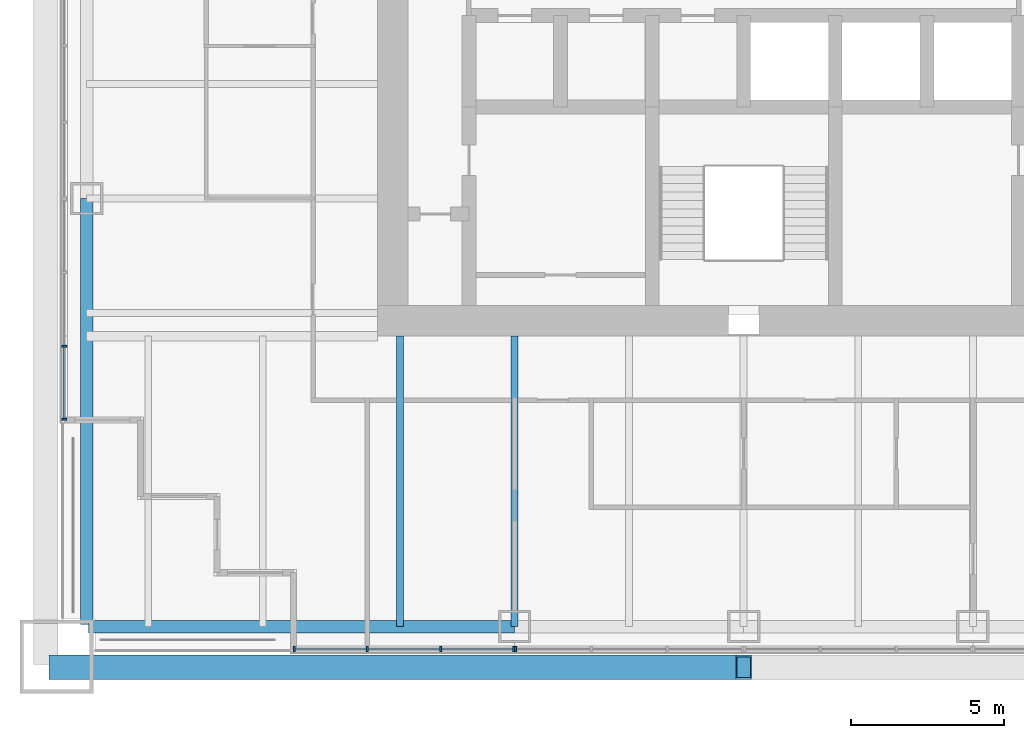
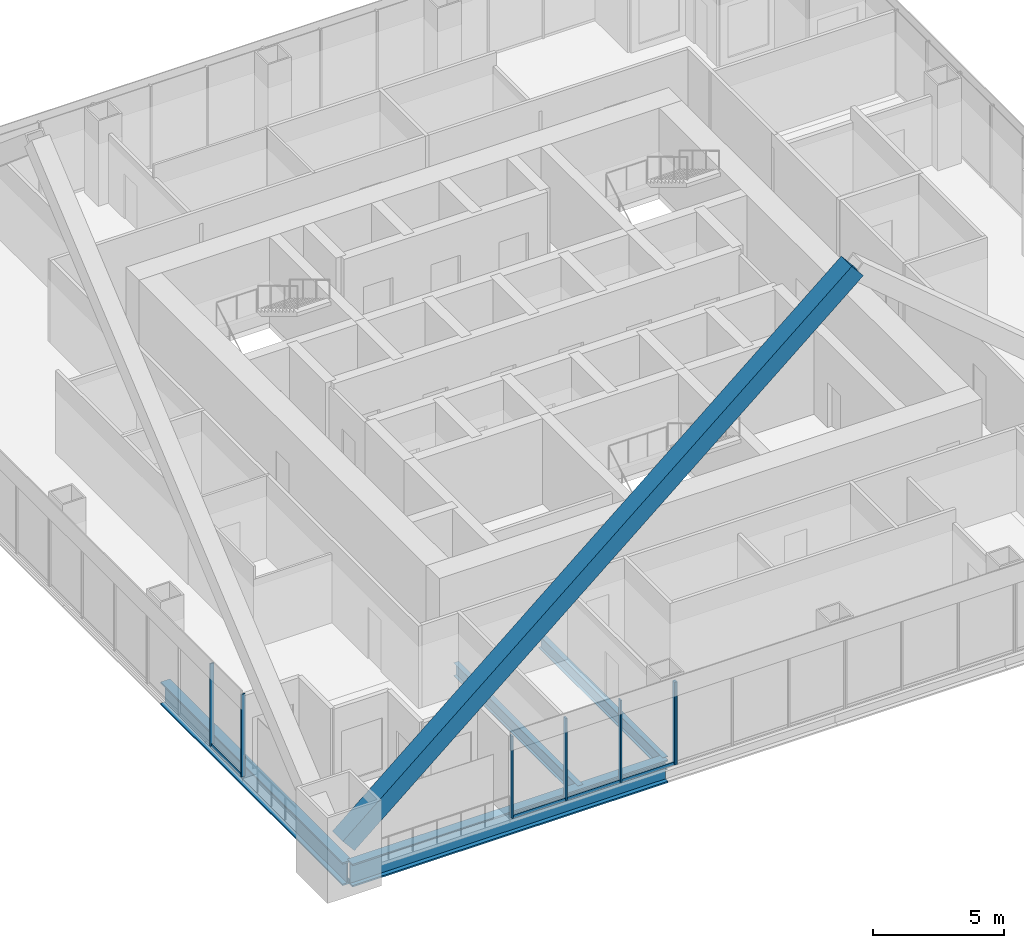
# One storey, part 2 of 19: 12 members, 4 beams, 3 elements without a shape of their own.
"""IFC4 building model written with IfcOpenShell, lengths in metres."""

from ifc_helpers import new_model, si_unit, direction, frame, origin, origin_2d, place, context, subcontext, project, spatial, rectangle, hollow_rectangle, i_section, extrude, material, material_profile, profile_set, type_object, element, aggregate, save


model = new_model("IFC4")

# Units and contexts
model_context = context("Model", 3, precision=1e-05, world=origin(), true_north=direction((0.0, 1.0)))
body_context = subcontext(model_context, "Body", "Model", "MODEL_VIEW")
ifc_project = project(units=[si_unit("LENGTHUNIT", "METRE"), si_unit("AREAUNIT", "SQUARE_METRE"), si_unit("VOLUMEUNIT", "CUBIC_METRE"), si_unit("PLANEANGLEUNIT", "RADIAN"), si_unit("MASSUNIT", "GRAM", prefix="KILO")], contexts=[model_context])

# Site, building, storey
site_placement = place(None, origin())
site = spatial("IfcSite", under=ifc_project, at=site_placement, CompositionType="ELEMENT")
building_placement = place(site_placement, origin())
building = spatial("IfcBuilding", under=site, at=building_placement, Name="Tarangal Relay Tower", CompositionType="ELEMENT")
storey_placement = place(building_placement, frame((0.0, 0.0, 213.89990234375)))
storey = spatial("IfcBuildingStorey", under=building, at=storey_placement, Name="L45", CompositionType="ELEMENT", Elevation=213.89990234375)

# Beams
ifc_material_1 = material(Name="Steel ASTM A992", Category="steel")
ifc_material_profile_1 = material_profile(ifc_material_1, i_section(OverallWidth=0.41650390625, OverallDepth=1.0693359375, WebThickness=0.0390625, FlangeThickness=0.070068359375, at=origin_2d()), Name="W40X503")
ifc_profile_set_1 = profile_set([ifc_material_profile_1], Name="Steel ASTM A992")
beam_type_1 = type_object("IfcBeamType", Name="Edge girder W40X503", PredefinedType="SPANDREL", material=ifc_profile_set_1)
for number, where, z_axis, x_axis, name in (
    (1, (-7.5, -21.514892578125, -0.6845703125), (-1.0, 0.0, 0.0), (0.0, -1.0, 0.0), "Edge girder EG8 S L45"),
    (2, (-21.514892578125, -21.449951171875, -0.6845703125), (0.0, 1.0, 0.0), (-1.0, 0.0, 0.0), "Edge girder EG8 W L45"),
):
    element("IfcBeam", number, at=place(storey_placement, frame(where, z_axis=z_axis, x_axis=x_axis)), inside=storey, type_object=beam_type_1, Name=name, PredefinedType="SPANDREL", context=body_context, shape_type="SweptSolid", body=[
        extrude(i_section(OverallWidth=0.41650390625, OverallDepth=1.0693359375, WebThickness=0.0390625, FlangeThickness=0.070068359375, at=origin_2d()), origin(), (0.0, 0.0, 1.0), 13.949951171875),
    ])
ifc_material_profile_2 = material_profile(ifc_material_1, i_section(OverallWidth=0.22900390625, OverallDepth=0.612060546875, WebThickness=0.011962890625, FlangeThickness=0.01953125, at=origin_2d()), Name="W24X84")
ifc_profile_set_2 = profile_set([ifc_material_profile_2], Name="Steel ASTM A992")
beam_type_2 = type_object("IfcBeamType", Name="Floor beam W24X84", PredefinedType="BEAM", material=ifc_profile_set_2)
for number, where, z_axis, x_axis, name in (
    (3, (-7.5, -12.0, -0.455810546875), (0.0, -1.0, 0.0), (1.0, 0.0, 0.0), "Floor beam RB12 S L45"),
    (4, (-11.25, -12.0, -0.455810546875), (0.0, -1.0, 0.0), (1.0, 0.0, 0.0), "Floor beam RB12 S L45"),
):
    element("IfcBeam", number, at=place(storey_placement, frame(where, z_axis=z_axis, x_axis=x_axis)), inside=storey, type_object=beam_type_2, Name=name, PredefinedType="BEAM", context=body_context, shape_type="SweptSolid", body=[
        extrude(i_section(OverallWidth=0.22900390625, OverallDepth=0.612060546875, WebThickness=0.011962890625, FlangeThickness=0.01953125, at=origin_2d()), origin(), (0.0, 0.0, 1.0), 9.514892578125),
    ])

# Member
ifc_material_2 = material(Name="Steel ASTM A572 Grade 50", Category="steel")
ifc_material_profile_3 = material_profile(ifc_material_2, hollow_rectangle(XDim=0.800048828125, YDim=0.800048828125, WallThickness=0.06494140625, at=origin_2d()), Name="BOX800X800X65")
ifc_profile_set_3 = profile_set([ifc_material_profile_3], Name="Steel ASTM A572 Grade 50")
member_type_1 = type_object("IfcMemberType", Name="Mega brace BOX800X800X65", PredefinedType="BRACE", material=ifc_profile_set_3)
member_1_placement = place(storey_placement, frame((-22.5, -22.85009765625, 2.0), z_axis=(0.764029915847, 0.0, 0.645180817826), x_axis=(0.0, 1.0, 0.0)))
element("IfcMember", 5, at=member_1_placement, inside=storey, type_object=member_type_1, Name="Mega brace MB3 S face module 2", PredefinedType="BRACE", context=body_context, shape_type="SweptSolid", body=[
    extrude(hollow_rectangle(XDim=0.800048828125, YDim=0.800048828125, WallThickness=0.06494140625, at=origin_2d()), origin(), (0.0, 0.0, 1.0), 29.44921875),
])

# Curtain wall, member
ifc_material_3 = material(Name="Unitised curtain wall, dark glass and black aluminium", Category="aluminium")
curtain_wall_type = type_object("IfcCurtainWallType", Name="Curtain wall CW-A", PredefinedType="USERDEFINED", material=ifc_material_3)
curtain_wall_1_placement = place(storey_placement, origin())
curtain_wall_1 = element("IfcCurtainWall", 6, at=curtain_wall_1_placement, inside=storey, type_object=curtain_wall_type, Name="Curtain wall CW-A S facade L45", ObjectType="UNITISED CURTAIN WALL", PredefinedType="USERDEFINED")
ifc_material_4 = material(Name="Black anodised aluminium mullion", Category="aluminium")
ifc_material_profile_4 = material_profile(ifc_material_4, rectangle(XDim=0.175048828125, YDim=0.06494140625, at=origin_2d()), Name="CW-AM 65X175")
ifc_profile_set_4 = profile_set([ifc_material_profile_4], Name="Black anodised aluminium mullion")
member_type_2 = type_object("IfcMemberType", Name="Mullion CW-A 65 x 175", PredefinedType="MULLION", material=ifc_profile_set_4)
member_2_placement = place(storey_placement, frame((-7.467529296875, -22.25, 0.0), z_axis=(0.0, 0.0, 1.0), x_axis=(0.0, -1.0, 0.0)))
member_2 = element("IfcMember", 7, at=member_2_placement, type_object=member_type_2, Name="CW-A mullion 4", PredefinedType="MULLION", context=body_context, shape_type="SweptSolid", body=[
    extrude(rectangle(XDim=0.175048828125, YDim=0.06494140625, at=origin_2d()), origin(), (0.0, 0.0, 1.0), 3.85009765625),
])
aggregate(curtain_wall_1, [member_2])

# Curtain wall, members
curtain_wall_2_placement = place(storey_placement, origin())
curtain_wall_2 = element("IfcCurtainWall", 8, at=curtain_wall_2_placement, inside=storey, type_object=curtain_wall_type, Name="Curtain wall CW-A S facade L45", ObjectType="UNITISED CURTAIN WALL", PredefinedType="USERDEFINED")
member_3_placement = place(storey_placement, frame((-7.532470703125, -22.25, 0.0), z_axis=(0.0, 0.0, 1.0), x_axis=(0.0, -1.0, 0.0)))
member_3 = element("IfcMember", 9, at=member_3_placement, type_object=member_type_2, Name="CW-A mullion 1", PredefinedType="MULLION", context=body_context, shape_type="SweptSolid", body=[
    extrude(rectangle(XDim=0.175048828125, YDim=0.06494140625, at=origin_2d()), origin(), (0.0, 0.0, 1.0), 3.85009765625),
])
member_4_placement = place(storey_placement, frame((-9.916748046875, -22.25, 0.0), z_axis=(0.0, 0.0, 1.0), x_axis=(0.0, -1.0, 0.0)))
member_4 = element("IfcMember", 10, at=member_4_placement, type_object=member_type_2, Name="CW-A mullion 2", PredefinedType="MULLION", context=body_context, shape_type="SweptSolid", body=[
    extrude(rectangle(XDim=0.175048828125, YDim=0.06494140625, at=origin_2d()), origin(), (0.0, 0.0, 1.0), 3.85009765625),
])
member_5_placement = place(storey_placement, frame((-12.333251953125, -22.25, 0.0), z_axis=(0.0, 0.0, 1.0), x_axis=(0.0, -1.0, 0.0)))
member_5 = element("IfcMember", 11, at=member_5_placement, type_object=member_type_2, Name="CW-A mullion 3", PredefinedType="MULLION", context=body_context, shape_type="SweptSolid", body=[
    extrude(rectangle(XDim=0.175048828125, YDim=0.06494140625, at=origin_2d()), origin(), (0.0, 0.0, 1.0), 3.85009765625),
])
member_6_placement = place(storey_placement, frame((-14.717529296875, -22.25, 0.0), z_axis=(0.0, 0.0, 1.0), x_axis=(0.0, -1.0, 0.0)))
member_6 = element("IfcMember", 12, at=member_6_placement, type_object=member_type_2, Name="CW-A mullion 4", PredefinedType="MULLION", context=body_context, shape_type="SweptSolid", body=[
    extrude(rectangle(XDim=0.175048828125, YDim=0.06494140625, at=origin_2d()), origin(), (0.0, 0.0, 1.0), 3.85009765625),
])

curtain_wall_3_placement = place(storey_placement, origin())
curtain_wall_3 = element("IfcCurtainWall", 13, at=curtain_wall_3_placement, inside=storey, type_object=curtain_wall_type, Name="Curtain wall CW-A W facade L45", ObjectType="UNITISED CURTAIN WALL", PredefinedType="USERDEFINED")
member_7_placement = place(storey_placement, frame((-22.25, -14.717529296875, 0.0), z_axis=(0.0, 0.0, 1.0), x_axis=(-1.0, 0.0, 0.0)))
member_7 = element("IfcMember", 14, at=member_7_placement, type_object=member_type_2, Name="CW-A mullion 1", PredefinedType="MULLION", context=body_context, shape_type="SweptSolid", body=[
    extrude(rectangle(XDim=0.175048828125, YDim=0.06494140625, at=origin_2d()), origin(), (0.0, 0.0, 1.0), 3.85009765625),
])
member_8_placement = place(storey_placement, frame((-22.25, -12.333251953125, 0.0), z_axis=(0.0, 0.0, 1.0), x_axis=(-1.0, 0.0, 0.0)))
member_8 = element("IfcMember", 15, at=member_8_placement, type_object=member_type_2, Name="CW-A mullion 2", PredefinedType="MULLION", context=body_context, shape_type="SweptSolid", body=[
    extrude(rectangle(XDim=0.175048828125, YDim=0.06494140625, at=origin_2d()), origin(), (0.0, 0.0, 1.0), 3.85009765625),
])

# Member
ifc_material_5 = material(Name="Black anodised aluminium transom", Category="aluminium")
ifc_material_profile_5 = material_profile(ifc_material_5, rectangle(XDim=0.06494140625, YDim=0.14990234375, at=origin_2d()), Name="CW-AT 65X150")
ifc_profile_set_5 = profile_set([ifc_material_profile_5], Name="Black anodised aluminium transom")
member_type_3 = type_object("IfcMemberType", Name="Transom CW-A 65 x 150", PredefinedType="USERDEFINED", material=ifc_profile_set_5)
member_9_placement = place(storey_placement, frame((-7.56494140625, -22.25, 0.03271484375), z_axis=(-1.0, 0.0, 0.0), x_axis=(0.0, -1.0, 0.0)))
member_9 = element("IfcMember", 16, at=member_9_placement, type_object=member_type_3, Name="CW-A transom 1.1", ObjectType="TRANSOM", PredefinedType="USERDEFINED", context=body_context, shape_type="SweptSolid", body=[
    extrude(rectangle(XDim=0.06494140625, YDim=0.14990234375, at=origin_2d()), origin(), (0.0, 0.0, 1.0), 2.3193359375),
])

member_10_placement = place(storey_placement, frame((-9.94921875, -22.25, 0.03271484375), z_axis=(-1.0, 0.0, 0.0), x_axis=(0.0, -1.0, 0.0)))
member_10 = element("IfcMember", 17, at=member_10_placement, type_object=member_type_3, Name="CW-A transom 2.1", ObjectType="TRANSOM", PredefinedType="USERDEFINED", context=body_context, shape_type="SweptSolid", body=[
    extrude(rectangle(XDim=0.06494140625, YDim=0.14990234375, at=origin_2d()), origin(), (0.0, 0.0, 1.0), 2.3515625),
])

member_11_placement = place(storey_placement, frame((-12.36572265625, -22.25, 0.03271484375), z_axis=(-1.0, 0.0, 0.0), x_axis=(0.0, -1.0, 0.0)))
member_11 = element("IfcMember", 18, at=member_11_placement, type_object=member_type_3, Name="CW-A transom 3.1", ObjectType="TRANSOM", PredefinedType="USERDEFINED", context=body_context, shape_type="SweptSolid", body=[
    extrude(rectangle(XDim=0.06494140625, YDim=0.14990234375, at=origin_2d()), origin(), (0.0, 0.0, 1.0), 2.3193359375),
])

aggregate(curtain_wall_2, [member_3, member_4, member_5, member_6, member_9, member_10, member_11])

member_12_placement = place(storey_placement, frame((-22.25, -14.68505859375, 0.03271484375), z_axis=(0.0, 1.0, 0.0), x_axis=(-1.0, 0.0, 0.0)))
member_12 = element("IfcMember", 19, at=member_12_placement, type_object=member_type_3, Name="CW-A transom 1.1", ObjectType="TRANSOM", PredefinedType="USERDEFINED", context=body_context, shape_type="SweptSolid", body=[
    extrude(rectangle(XDim=0.06494140625, YDim=0.14990234375, at=origin_2d()), origin(), (0.0, 0.0, 1.0), 2.3193359375),
])

aggregate(curtain_wall_3, [member_7, member_8, member_12])

save(model, "model.ifc")
